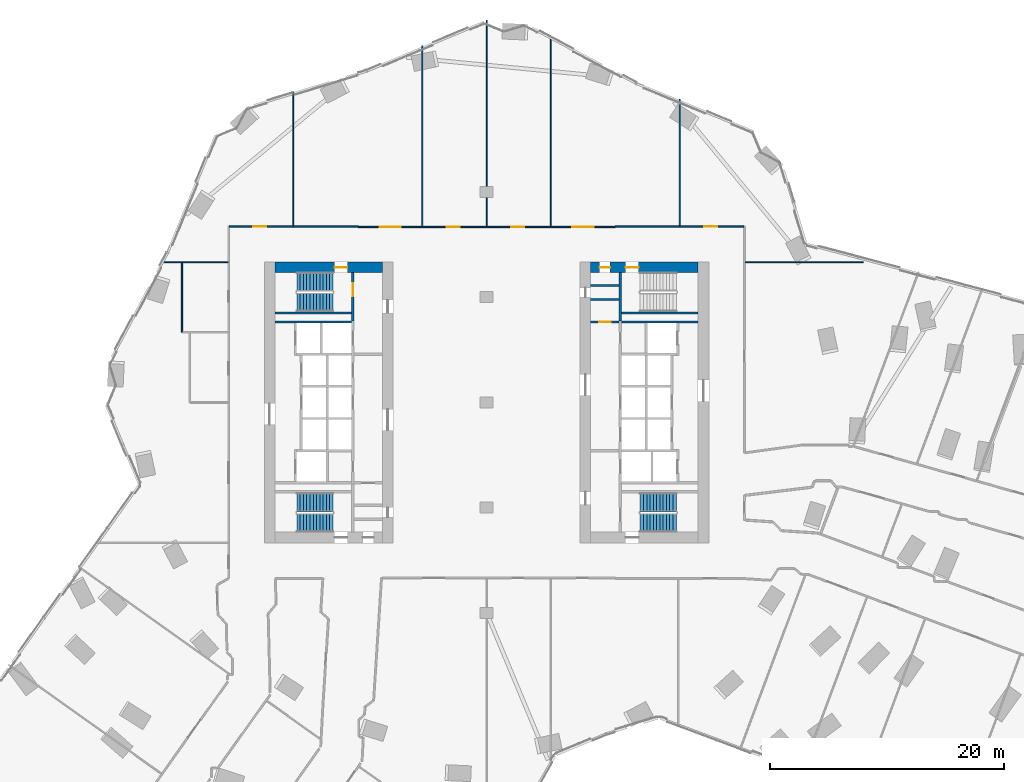
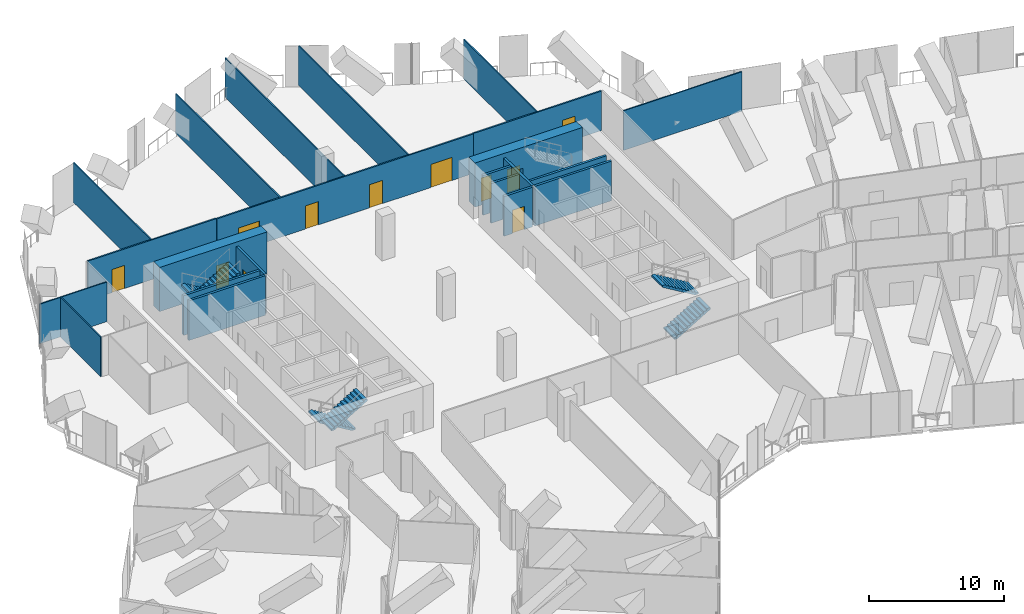
# One storey, part 30 of 34: 22 walls, 11 doors, 6 stair flights, 11 openings, 3 elements without a shape of their own.
"""IFC4 building model written with IfcOpenShell, lengths in metres."""

from ifc_helpers import new_model, si_unit, direction, frame, frame_2d, origin, place, context, subcontext, project, spatial, polyline, rectangle, outline, extrude, material, layer, layer_set, type_object, element, fill, aggregate, save


model = new_model("IFC4")

# Units and contexts
model_context = context("Model", 3, precision=1e-05, world=origin(), true_north=direction((0.0, 1.0)))
body_context = subcontext(model_context, "Body", "Model", "MODEL_VIEW")
ifc_project = project(units=[si_unit("LENGTHUNIT", "METRE"), si_unit("AREAUNIT", "SQUARE_METRE"), si_unit("VOLUMEUNIT", "CUBIC_METRE"), si_unit("PLANEANGLEUNIT", "RADIAN"), si_unit("MASSUNIT", "GRAM", prefix="KILO")], contexts=[model_context])

# Site, building, storey
site_placement = place(None, origin())
site = spatial("IfcSite", under=ifc_project, at=site_placement, CompositionType="ELEMENT")
building_placement = place(site_placement, origin())
building = spatial("IfcBuilding", under=site, at=building_placement, Name="Orlundy Tower", CompositionType="ELEMENT")
storey_placement = place(building_placement, frame((0.0, 0.0, 98.199951171875)))
storey = spatial("IfcBuildingStorey", under=building, at=storey_placement, Name="L24", CompositionType="ELEMENT", Elevation=98.199951171875)

# Wall, opening, door
ifc_material_1 = material(Name="Concrete C80/95", Category="concrete")
ifc_layer_1 = layer(ifc_material_1, 0.89990234375)
ifc_layer_set_1 = layer_set([ifc_layer_1], Name="CORE WALL 900 C80/95")
wall_type_1 = type_object("IfcWallType", Name="CORE WALL 900 C80/95", PredefinedType="SHEAR", material=ifc_layer_set_1)
wall_1_placement = place(storey_placement, frame((-18.10009765625, 11.550048828125, 0.0), z_axis=(0.0, 0.0, 1.0), x_axis=(1.0, 0.0, 0.0)))
wall_1 = element("IfcWall", 1, at=wall_1_placement, inside=storey, type_object=wall_type_1, Name="Core wall W-N L24", PredefinedType="SHEAR", context=body_context, shape_type="SweptSolid", body=[
    extrude(rectangle(XDim=9.2001953125, YDim=0.89990234375, at=frame_2d((4.60009765625, 0.0))), origin(), (0.0, 0.0, 1.0), 4.0),
])
opening_1_placement = place(wall_1_placement, frame((5.10009765625, 0.0, 0.0)))
opening_1 = element("IfcOpeningElement", 2, at=opening_1_placement, cuts=wall_1, Name="Opening 19012", PredefinedType="OPENING", context=body_context, shape_type="SweptSolid", body=[
    extrude(rectangle(XDim=1.10009765625, YDim=2.10009765625, at=frame_2d((0.550048828125, 1.050048828125))), frame((0.0, 0.4599609375, 0.0), z_axis=(0.0, -1.0, 0.0), x_axis=(1.0, 0.0, 0.0)), (0.0, 0.0, 1.0), 0.919921875),
])
ifc_material_2 = material(Name="Steel door set", Category="steel")
door_type_1 = type_object("IfcDoorType", Name="Stair Door 1100x2100", OperationType="SINGLE_SWING_LEFT", PredefinedType="DOOR", material=ifc_material_2)
door_1_placement = place(opening_1_placement, origin())
door_1 = element("IfcDoor", 3, at=door_1_placement, inside=storey, type_object=door_type_1, Name="Stair door 19012", OperationType="SINGLE_SWING_RIGHT", OverallHeight=2.10009765625, OverallWidth=1.10009765625, PredefinedType="DOOR", context=body_context, shape_type="SweptSolid", body=[
    extrude(rectangle(XDim=1.10009765625, YDim=2.10009765625, at=frame_2d((0.550048828125, 1.050048828125))), frame((0.0, 0.02490234375, 0.0), z_axis=(0.0, -1.0, 0.0), x_axis=(1.0, 0.0, 0.0)), (0.0, 0.0, 1.0), 0.050048828125),
])
fill(opening_1, door_1)

# Wall, openings, doors
wall_2_placement = place(storey_placement, frame((8.89990234375, 11.550048828125, 0.0), z_axis=(0.0, 0.0, 1.0), x_axis=(1.0, 0.0, 0.0)))
wall_2 = element("IfcWall", 4, at=wall_2_placement, inside=storey, type_object=wall_type_1, Name="Core wall E-N L24", PredefinedType="SHEAR", context=body_context, shape_type="SweptSolid", body=[
    extrude(rectangle(XDim=9.2001953125, YDim=0.89990234375, at=frame_2d((4.60009765625, 0.0))), origin(), (0.0, 0.0, 1.0), 4.0),
])
opening_2_placement = place(wall_2_placement, frame((3.0, 0.0, 0.0)))
opening_2 = element("IfcOpeningElement", 5, at=opening_2_placement, cuts=wall_2, Name="Opening 19062", PredefinedType="OPENING", context=body_context, shape_type="SweptSolid", body=[
    extrude(rectangle(XDim=1.10009765625, YDim=2.10009765625, at=frame_2d((0.550048828125, 1.050048828125))), frame((0.0, 0.4599609375, 0.0), z_axis=(0.0, -1.0, 0.0), x_axis=(1.0, 0.0, 0.0)), (0.0, 0.0, 1.0), 0.919921875),
])
opening_3_placement = place(wall_2_placement, frame((0.77001953125, 0.0, 0.0)))
opening_3 = element("IfcOpeningElement", 6, at=opening_3_placement, cuts=wall_2, Name="Opening 19064", PredefinedType="OPENING", context=body_context, shape_type="SweptSolid", body=[
    extrude(rectangle(XDim=0.89990234375, YDim=2.10009765625, at=frame_2d((0.449951171875, 1.050048828125))), frame((0.0, 0.4599609375, 0.0), z_axis=(0.0, -1.0, 0.0), x_axis=(1.0, 0.0, 0.0)), (0.0, 0.0, 1.0), 0.919921875),
])
ifc_material_3 = material(Name="Timber door set", Category="wood")
door_type_2 = type_object("IfcDoorType", Name="Room Door 900x2100", OperationType="SINGLE_SWING_LEFT", PredefinedType="DOOR", material=ifc_material_3)
door_2_placement = place(opening_3_placement, origin())
door_2 = element("IfcDoor", 7, at=door_2_placement, inside=storey, type_object=door_type_2, Name="Store door 19064", OperationType="SINGLE_SWING_LEFT", OverallHeight=2.10009765625, OverallWidth=0.89990234375, PredefinedType="DOOR", context=body_context, shape_type="SweptSolid", body=[
    extrude(rectangle(XDim=0.89990234375, YDim=2.10009765625, at=frame_2d((0.449951171875, 1.050048828125))), frame((0.0, 0.02490234375, 0.0), z_axis=(0.0, -1.0, 0.0), x_axis=(1.0, 0.0, 0.0)), (0.0, 0.0, 1.0), 0.050048828125),
])
fill(opening_3, door_2)
door_3_placement = place(opening_2_placement, origin())
door_3 = element("IfcDoor", 8, at=door_3_placement, inside=storey, type_object=door_type_1, Name="Stair door 19062", OperationType="SINGLE_SWING_LEFT", OverallHeight=2.10009765625, OverallWidth=1.10009765625, PredefinedType="DOOR", context=body_context, shape_type="SweptSolid", body=[
    extrude(rectangle(XDim=1.10009765625, YDim=2.10009765625, at=frame_2d((0.550048828125, 1.050048828125))), frame((0.0, 0.02490234375, 0.0), z_axis=(0.0, -1.0, 0.0), x_axis=(1.0, 0.0, 0.0)), (0.0, 0.0, 1.0), 0.050048828125),
])
fill(opening_2, door_3)

# Walls
ifc_material_4 = material(Name="Gypsum board partition")
ifc_layer_2 = layer(ifc_material_4, 0.10009765625)
ifc_layer_set_2 = layer_set([ifc_layer_2], Name="Floor partition 100")
wall_type_2 = type_object("IfcWallType", Name="Floor partition 100", PredefinedType="PARTITIONING", material=ifc_layer_set_2)
wall_3_placement = place(storey_placement, frame((-27.8798828125, 12.0, 0.0), z_axis=(0.0, 0.0, 1.0), x_axis=(1.0, 0.0, 0.0)))
element("IfcWall", 9, at=wall_3_placement, inside=storey, type_object=wall_type_2, Name="wall-int-L24-076", PredefinedType="PARTITIONING", context=body_context, shape_type="SweptSolid", body=[
    extrude(rectangle(XDim=5.766845703125, YDim=0.10009765625, at=frame_2d((2.88330078125, 0.0))), origin(), (0.0, 0.0, 1.0), 3.580078125),
])
wall_4_placement = place(storey_placement, frame((22.113037109375, 12.0, 0.0), z_axis=(0.0, 0.0, 1.0), x_axis=(1.0, 0.0, 0.0)))
element("IfcWall", 10, at=wall_4_placement, inside=storey, type_object=wall_type_2, Name="wall-int-L24-077", PredefinedType="PARTITIONING", context=body_context, shape_type="SweptSolid", body=[
    extrude(rectangle(XDim=10.113037109375, YDim=0.10009765625, at=frame_2d((5.056640625, 0.0))), origin(), (0.0, 0.0, 1.0), 3.580078125),
])
wall_5_placement = place(storey_placement, frame((16.52099609375, 15.114013671875, 0.0), z_axis=(0.0, 0.0, 1.0), x_axis=(0.0, 1.0, 0.0)))
element("IfcWall", 11, at=wall_5_placement, inside=storey, type_object=wall_type_2, Name="wall-int-L24-135", PredefinedType="PARTITIONING", context=body_context, shape_type="SweptSolid", body=[
    extrude(rectangle(XDim=10.802978515625, YDim=0.10009765625, at=frame_2d((5.4013671875, 0.0))), origin(), (0.0, 0.0, 1.0), 3.580078125),
])
wall_6_placement = place(storey_placement, frame((5.4951171875, 15.06298828125, 0.0), z_axis=(0.0, 0.0, 1.0), x_axis=(0.0, 1.0, 0.0)))
element("IfcWall", 12, at=wall_6_placement, inside=storey, type_object=wall_type_2, Name="wall-int-L24-138", PredefinedType="PARTITIONING", context=body_context, shape_type="SweptSolid", body=[
    extrude(rectangle(XDim=16.27490234375, YDim=0.10009765625, at=frame_2d((8.137451171875, 0.0))), origin(), (0.0, 0.0, 1.0), 3.580078125),
])
wall_7_placement = place(storey_placement, frame((0.0, 15.06298828125, 0.0), z_axis=(0.0, 0.0, 1.0), x_axis=(0.0, 1.0, 0.0)))
element("IfcWall", 13, at=wall_7_placement, inside=storey, type_object=wall_type_2, Name="wall-int-L24-140", PredefinedType="PARTITIONING", context=body_context, shape_type="SweptSolid", body=[
    extrude(rectangle(XDim=17.64111328125, YDim=0.10009765625, at=frame_2d((8.820556640625, 0.0))), origin(), (0.0, 0.0, 1.0), 3.580078125),
])
wall_8_placement = place(storey_placement, frame((-5.4951171875, 15.06298828125, 0.0), z_axis=(0.0, 0.0, 1.0), x_axis=(0.0, 1.0, 0.0)))
element("IfcWall", 14, at=wall_8_placement, inside=storey, type_object=wall_type_2, Name="wall-int-L24-141", PredefinedType="PARTITIONING", context=body_context, shape_type="SweptSolid", body=[
    extrude(rectangle(XDim=15.424072265625, YDim=0.10009765625, at=frame_2d((7.7119140625, 0.0))), origin(), (0.0, 0.0, 1.0), 3.580078125),
])
wall_9_placement = place(storey_placement, frame((-16.52001953125, 15.114013671875, 0.0), z_axis=(0.0, 0.0, 1.0), x_axis=(0.0, 1.0, 0.0)))
element("IfcWall", 15, at=wall_9_placement, inside=storey, type_object=wall_type_2, Name="wall-int-L24-145", PredefinedType="PARTITIONING", context=body_context, shape_type="SweptSolid", body=[
    extrude(rectangle(XDim=11.468017578125, YDim=0.10009765625, at=frame_2d((5.73388671875, 0.0))), origin(), (0.0, 0.0, 1.0), 3.580078125),
])
wall_10_placement = place(storey_placement, frame((-26.048095703125, 6.0009765625, 0.0), z_axis=(0.0, 0.0, 1.0), x_axis=(0.0, 1.0, 0.0)))
element("IfcWall", 16, at=wall_10_placement, inside=storey, type_object=wall_type_2, Name="wall-int-L24-154", PredefinedType="PARTITIONING", context=body_context, shape_type="SweptSolid", body=[
    extrude(rectangle(XDim=5.948974609375, YDim=0.10009765625, at=frame_2d((2.974609375, 0.0))), origin(), (0.0, 0.0, 1.0), 3.580078125),
])

# Wall, openings, doors
ifc_material_5 = material(Name="Gypsum board partition, double layer")
ifc_layer_3 = layer(ifc_material_5, 0.125)
ifc_layer_set_3 = layer_set([ifc_layer_3], Name="Floor partition 125")
wall_type_3 = type_object("IfcWallType", Name="Floor partition 125", PredefinedType="PARTITIONING", material=ifc_layer_set_3)
wall_11_placement = place(storey_placement, frame((-10.989990234375, 15.0009765625, 0.0), z_axis=(0.0, 0.0, 1.0), x_axis=(1.0, 0.0, 0.0)))
wall_11 = element("IfcWall", 17, at=wall_11_placement, inside=storey, type_object=wall_type_3, Name="wall-int-L24-078", PredefinedType="PARTITIONING", context=body_context, shape_type="SweptSolid", body=[
    extrude(rectangle(XDim=21.97998046875, YDim=0.125, at=frame_2d((10.989990234375, 0.0))), origin(), (0.0, 0.0, 1.0), 3.580078125),
])
opening_4_placement = place(wall_11_placement, frame((18.3349609375, 0.0, 0.0)))
opening_4 = element("IfcOpeningElement", 18, at=opening_4_placement, cuts=wall_11, Name="Opening 19132", PredefinedType="OPENING", context=body_context, shape_type="SweptSolid", body=[
    extrude(rectangle(XDim=1.800048828125, YDim=2.10009765625, at=frame_2d((0.89990234375, 1.050048828125))), frame((0.0, 0.072509765625, 0.0), z_axis=(0.0, -1.0, 0.0), x_axis=(1.0, 0.0, 0.0)), (0.0, 0.0, 1.0), 0.14501953125),
])
opening_5_placement = place(wall_11_placement, frame((13.090087890625, 0.0, 0.0)))
opening_5 = element("IfcOpeningElement", 19, at=opening_5_placement, cuts=wall_11, Name="Opening 19133", PredefinedType="OPENING", context=body_context, shape_type="SweptSolid", body=[
    extrude(rectangle(XDim=1.10009765625, YDim=2.10009765625, at=frame_2d((0.550048828125, 1.050048828125))), frame((0.0, 0.072509765625, 0.0), z_axis=(0.0, -1.0, 0.0), x_axis=(1.0, 0.0, 0.0)), (0.0, 0.0, 1.0), 0.14501953125),
])
opening_6_placement = place(wall_11_placement, frame((7.594970703125, 0.0, 0.0)))
opening_6 = element("IfcOpeningElement", 20, at=opening_6_placement, cuts=wall_11, Name="Opening 19134", PredefinedType="OPENING", context=body_context, shape_type="SweptSolid", body=[
    extrude(rectangle(XDim=1.10009765625, YDim=2.10009765625, at=frame_2d((0.550048828125, 1.050048828125))), frame((0.0, 0.072509765625, 0.0), z_axis=(0.0, -1.0, 0.0), x_axis=(1.0, 0.0, 0.0)), (0.0, 0.0, 1.0), 0.14501953125),
])
opening_7_placement = place(wall_11_placement, frame((1.85009765625, 0.0, 0.0)))
opening_7 = element("IfcOpeningElement", 21, at=opening_7_placement, cuts=wall_11, Name="Opening 19135", PredefinedType="OPENING", context=body_context, shape_type="SweptSolid", body=[
    extrude(rectangle(XDim=1.800048828125, YDim=2.10009765625, at=frame_2d((0.89990234375, 1.050048828125))), frame((0.0, 0.072509765625, 0.0), z_axis=(0.0, -1.0, 0.0), x_axis=(1.0, 0.0, 0.0)), (0.0, 0.0, 1.0), 0.14501953125),
])
ifc_material_6 = material(Name="Timber door leaf", Category="wood")
door_type_3 = type_object("IfcDoorType", Name="Floor door double 1800 FD30S", OperationType="NOTDEFINED", PredefinedType="DOOR", material=ifc_material_6)
door_4_placement = place(opening_4_placement, origin())
door_4 = element("IfcDoor", 22, at=door_4_placement, inside=storey, type_object=door_type_3, Name="Door 19132", OperationType="DOUBLE_DOOR_SINGLE_SWING", OverallHeight=2.10009765625, OverallWidth=1.800048828125, PredefinedType="DOOR", context=body_context, shape_type="SweptSolid", body=[
    extrude(rectangle(XDim=1.800048828125, YDim=2.10009765625, at=frame_2d((0.89990234375, 1.050048828125))), frame((0.0, 0.02490234375, 0.0), z_axis=(0.0, -1.0, 0.0), x_axis=(1.0, 0.0, 0.0)), (0.0, 0.0, 1.0), 0.050048828125),
])
fill(opening_4, door_4)
door_5_placement = place(opening_7_placement, origin())
door_5 = element("IfcDoor", 23, at=door_5_placement, inside=storey, type_object=door_type_3, Name="Door 19135", OperationType="DOUBLE_DOOR_SINGLE_SWING", OverallHeight=2.10009765625, OverallWidth=1.800048828125, PredefinedType="DOOR", context=body_context, shape_type="SweptSolid", body=[
    extrude(rectangle(XDim=1.800048828125, YDim=2.10009765625, at=frame_2d((0.89990234375, 1.050048828125))), frame((0.0, 0.02490234375, 0.0), z_axis=(0.0, -1.0, 0.0), x_axis=(1.0, 0.0, 0.0)), (0.0, 0.0, 1.0), 0.050048828125),
])
fill(opening_7, door_5)
ifc_material_7 = material(Name="Timber door leaf", Category="wood")
door_type_4 = type_object("IfcDoorType", Name="Floor door xwide 1100 FD30S", OperationType="NOTDEFINED", PredefinedType="DOOR", material=ifc_material_7)
door_6_placement = place(opening_5_placement, origin())
door_6 = element("IfcDoor", 24, at=door_6_placement, inside=storey, type_object=door_type_4, Name="Door 19133", OperationType="SINGLE_SWING_RIGHT", OverallHeight=2.10009765625, OverallWidth=1.10009765625, PredefinedType="DOOR", context=body_context, shape_type="SweptSolid", body=[
    extrude(rectangle(XDim=1.10009765625, YDim=2.10009765625, at=frame_2d((0.550048828125, 1.050048828125))), frame((0.0, 0.02490234375, 0.0), z_axis=(0.0, -1.0, 0.0), x_axis=(1.0, 0.0, 0.0)), (0.0, 0.0, 1.0), 0.050048828125),
])
fill(opening_5, door_6)
door_7_placement = place(opening_6_placement, origin())
door_7 = element("IfcDoor", 25, at=door_7_placement, inside=storey, type_object=door_type_4, Name="Door 19134", OperationType="SINGLE_SWING_LEFT", OverallHeight=2.10009765625, OverallWidth=1.10009765625, PredefinedType="DOOR", context=body_context, shape_type="SweptSolid", body=[
    extrude(rectangle(XDim=1.10009765625, YDim=2.10009765625, at=frame_2d((0.550048828125, 1.050048828125))), frame((0.0, 0.02490234375, 0.0), z_axis=(0.0, -1.0, 0.0), x_axis=(1.0, 0.0, 0.0)), (0.0, 0.0, 1.0), 0.050048828125),
])
fill(opening_6, door_7)

# Wall, opening, door
wall_12_placement = place(storey_placement, frame((-21.988037109375, 15.051025390625, 0.0), z_axis=(0.0, 0.0, 1.0), x_axis=(1.0, 0.0, 0.0)))
wall_12 = element("IfcWall", 26, at=wall_12_placement, inside=storey, type_object=wall_type_3, Name="wall-int-L24-079", PredefinedType="PARTITIONING", context=body_context, shape_type="SweptSolid", body=[
    extrude(rectangle(XDim=10.9970703125, YDim=0.125, at=frame_2d((5.49853515625, 0.0))), origin(), (0.0, 0.0, 1.0), 3.580078125),
])
opening_8_placement = place(wall_12_placement, frame((2.03759765625, 0.0, 0.0)))
opening_8 = element("IfcOpeningElement", 27, at=opening_8_placement, cuts=wall_12, Name="Opening 19136", PredefinedType="OPENING", context=body_context, shape_type="SweptSolid", body=[
    extrude(rectangle(XDim=1.10009765625, YDim=2.10009765625, at=frame_2d((0.550048828125, 1.050048828125))), frame((0.0, 0.072509765625, 0.0), z_axis=(0.0, -1.0, 0.0), x_axis=(1.0, 0.0, 0.0)), (0.0, 0.0, 1.0), 0.14501953125),
])
door_8_placement = place(opening_8_placement, origin())
door_8 = element("IfcDoor", 28, at=door_8_placement, inside=storey, type_object=door_type_4, Name="Door 19136", OperationType="SINGLE_SWING_LEFT", OverallHeight=2.10009765625, OverallWidth=1.10009765625, PredefinedType="DOOR", context=body_context, shape_type="SweptSolid", body=[
    extrude(rectangle(XDim=1.10009765625, YDim=2.10009765625, at=frame_2d((0.550048828125, 1.050048828125))), frame((0.0, 0.02490234375, 0.0), z_axis=(0.0, -1.0, 0.0), x_axis=(1.0, 0.0, 0.0)), (0.0, 0.0, 1.0), 0.050048828125),
])
fill(opening_8, door_8)

wall_13_placement = place(storey_placement, frame((10.990966796875, 15.051025390625, 0.0), z_axis=(0.0, 0.0, 1.0), x_axis=(1.0, 0.0, 0.0)))
wall_13 = element("IfcWall", 29, at=wall_13_placement, inside=storey, type_object=wall_type_3, Name="wall-int-L24-080", PredefinedType="PARTITIONING", context=body_context, shape_type="SweptSolid", body=[
    extrude(rectangle(XDim=10.9970703125, YDim=0.125, at=frame_2d((5.49853515625, 0.0))), origin(), (0.0, 0.0, 1.0), 3.580078125),
])
opening_9_placement = place(wall_13_placement, frame((7.6298828125, 0.0, 0.0)))
opening_9 = element("IfcOpeningElement", 30, at=opening_9_placement, cuts=wall_13, Name="Opening 19131", PredefinedType="OPENING", context=body_context, shape_type="SweptSolid", body=[
    extrude(rectangle(XDim=1.10009765625, YDim=2.10009765625, at=frame_2d((0.550048828125, 1.050048828125))), frame((0.0, 0.072509765625, 0.0), z_axis=(0.0, -1.0, 0.0), x_axis=(1.0, 0.0, 0.0)), (0.0, 0.0, 1.0), 0.14501953125),
])
door_9_placement = place(opening_9_placement, origin())
door_9 = element("IfcDoor", 31, at=door_9_placement, inside=storey, type_object=door_type_4, Name="Door 19131", OperationType="SINGLE_SWING_RIGHT", OverallHeight=2.10009765625, OverallWidth=1.10009765625, PredefinedType="DOOR", context=body_context, shape_type="SweptSolid", body=[
    extrude(rectangle(XDim=1.10009765625, YDim=2.10009765625, at=frame_2d((0.550048828125, 1.050048828125))), frame((0.0, 0.02490234375, 0.0), z_axis=(0.0, -1.0, 0.0), x_axis=(1.0, 0.0, 0.0)), (0.0, 0.0, 1.0), 0.050048828125),
])
fill(opening_9, door_9)

ifc_material_8 = material(Name="Concrete C40/50", Category="concrete")
ifc_layer_4 = layer(ifc_material_8, 0.199951171875)
ifc_layer_set_4 = layer_set([ifc_layer_4], Name="Load-bearing Shaft Wall 200")
wall_type_4 = type_object("IfcWallType", Name="Load-bearing Shaft Wall 200", PredefinedType="SOLIDWALL", material=ifc_layer_set_4)
wall_14_placement = place(storey_placement, frame((-11.43994140625, 6.97509765625, 0.0), z_axis=(0.0, 0.0, 1.0), x_axis=(0.0, 1.0, 0.0)))
wall_14 = element("IfcWall", 32, at=wall_14_placement, inside=storey, type_object=wall_type_4, Name="Shaft wall W19-stair-end-n", PredefinedType="SOLIDWALL", context=body_context, shape_type="SweptSolid", body=[
    extrude(rectangle(XDim=4.125, YDim=0.199951171875, at=frame_2d((2.0625, 0.0))), origin(), (0.0, 0.0, 1.0), 3.590087890625),
])
opening_10_placement = place(wall_14_placement, frame((2.10009765625, 0.0, 0.0)))
opening_10 = element("IfcOpeningElement", 33, at=opening_10_placement, cuts=wall_14, Name="Opening 19014", PredefinedType="OPENING", context=body_context, shape_type="SweptSolid", body=[
    extrude(rectangle(XDim=1.10009765625, YDim=2.10009765625, at=frame_2d((0.550048828125, 1.050048828125))), frame((0.0, 0.110107421875, 0.0), z_axis=(0.0, -1.0, 0.0), x_axis=(1.0, 0.0, 0.0)), (0.0, 0.0, 1.0), 0.22021484375),
])
ifc_material_9 = material(Name="Steel door set", Category="steel")
door_type_5 = type_object("IfcDoorType", Name="Fire-fighting Lobby Door 1100x2100", OperationType="SINGLE_SWING_LEFT", PredefinedType="DOOR", material=ifc_material_9)
door_10_placement = place(opening_10_placement, origin())
door_10 = element("IfcDoor", 34, at=door_10_placement, inside=storey, type_object=door_type_5, Name="Fire-fighting lobby to stair door 19014", OperationType="SINGLE_SWING_RIGHT", OverallHeight=2.10009765625, OverallWidth=1.10009765625, PredefinedType="DOOR", context=body_context, shape_type="SweptSolid", body=[
    extrude(rectangle(XDim=1.10009765625, YDim=2.10009765625, at=frame_2d((0.550048828125, 1.050048828125))), frame((0.0, 0.02490234375, 0.0), z_axis=(0.0, -1.0, 0.0), x_axis=(1.0, 0.0, 0.0)), (0.0, 0.0, 1.0), 0.050048828125),
])
fill(opening_10, door_10)

# Walls
wall_15_placement = place(storey_placement, frame((-11.5400390625, 7.64990234375, 0.0), z_axis=(0.0, 0.0, 1.0), x_axis=(-1.0, 0.0, 0.0)))
element("IfcWall", 35, at=wall_15_placement, inside=storey, type_object=wall_type_4, Name="Shaft wall W19-stair-side-n", PredefinedType="SOLIDWALL", context=body_context, shape_type="SweptSolid", body=[
    extrude(rectangle(XDim=6.56005859375, YDim=0.199951171875, at=frame_2d((3.280029296875, 0.0))), origin(), (0.0, 0.0, 1.0), 3.590087890625),
])
wall_16_placement = place(storey_placement, frame((11.43994140625, 11.10009765625, 0.0), z_axis=(0.0, 0.0, 1.0), x_axis=(0.0, -1.0, 0.0)))
element("IfcWall", 36, at=wall_16_placement, inside=storey, type_object=wall_type_4, Name="Shaft wall E19-stair-end-s", PredefinedType="SOLIDWALL", context=body_context, shape_type="SweptSolid", body=[
    extrude(rectangle(XDim=4.125, YDim=0.199951171875, at=frame_2d((2.0625, 0.0))), origin(), (0.0, 0.0, 1.0), 3.590087890625),
])
wall_17_placement = place(storey_placement, frame((11.5400390625, 7.64990234375, 0.0), z_axis=(0.0, 0.0, 1.0), x_axis=(1.0, 0.0, 0.0)))
element("IfcWall", 37, at=wall_17_placement, inside=storey, type_object=wall_type_4, Name="Shaft wall E19-stair-side-s", PredefinedType="SOLIDWALL", context=body_context, shape_type="SweptSolid", body=[
    extrude(rectangle(XDim=6.56005859375, YDim=0.199951171875, at=frame_2d((3.280029296875, 0.0))), origin(), (0.0, 0.0, 1.0), 3.590087890625),
])

# Wall, opening, door
ifc_material_10 = material(Name="Gypsum board partition on steel studs", Category="steel")
ifc_layer_5 = layer(ifc_material_10, 0.199951171875)
ifc_layer_set_5 = layer_set([ifc_layer_5], Name="Partition 200")
wall_type_5 = type_object("IfcWallType", Name="Partition 200", PredefinedType="PARTITIONING", material=ifc_layer_set_5)
wall_18_placement = place(storey_placement, frame((8.89990234375, 6.875, 0.0), z_axis=(0.0, 0.0, 1.0), x_axis=(1.0, 0.0, 0.0)))
wall_18 = element("IfcWall", 38, at=wall_18_placement, inside=storey, type_object=wall_type_5, Name="Partition wall E19-end-s", PredefinedType="PARTITIONING", context=body_context, shape_type="SweptSolid", body=[
    extrude(rectangle(XDim=2.440185546875, YDim=0.199951171875, at=frame_2d((1.22021484375, 0.0))), origin(), (0.0, 0.0, 1.0), 3.590087890625),
])
opening_11_placement = place(wall_18_placement, frame((0.719970703125, 0.0, 0.0)))
opening_11 = element("IfcOpeningElement", 39, at=opening_11_placement, cuts=wall_18, Name="Opening 19066", PredefinedType="OPENING", context=body_context, shape_type="SweptSolid", body=[
    extrude(rectangle(XDim=1.0, YDim=2.10009765625, at=frame_2d((0.5, 1.050048828125))), frame((0.0, 0.110107421875, 0.0), z_axis=(0.0, -1.0, 0.0), x_axis=(1.0, 0.0, 0.0)), (0.0, 0.0, 1.0), 0.22021484375),
])
ifc_material_11 = material(Name="Timber door set", Category="wood")
door_type_6 = type_object("IfcDoorType", Name="Accessible Door 1000x2100", OperationType="SINGLE_SWING_LEFT", PredefinedType="DOOR", material=ifc_material_11)
door_11_placement = place(opening_11_placement, origin())
door_11 = element("IfcDoor", 40, at=door_11_placement, inside=storey, type_object=door_type_6, Name="Accessible WC door 19066", OperationType="SINGLE_SWING_RIGHT", OverallHeight=2.10009765625, OverallWidth=1.0, PredefinedType="DOOR", context=body_context, shape_type="SweptSolid", body=[
    extrude(rectangle(XDim=1.0, YDim=2.10009765625, at=frame_2d((0.5, 1.050048828125))), frame((0.0, 0.02490234375, 0.0), z_axis=(0.0, -1.0, 0.0), x_axis=(1.0, 0.0, 0.0)), (0.0, 0.0, 1.0), 0.050048828125),
])
fill(opening_11, door_11)

# Walls
for number, where, z_axis, x_axis, name in (
    (41, (8.89990234375, 10.0, 0.0), (0.0, 0.0, 1.0), (1.0, 0.0, 0.0), "Partition wall E19-room-s0"),
    (42, (8.89990234375, 8.800048828125, 0.0), (0.0, 0.0, 1.0), (1.0, 0.0, 0.0), "Partition wall E19-room-s1"),
):
    element("IfcWall", number, at=place(storey_placement, frame(where, z_axis=z_axis, x_axis=x_axis)), inside=storey, type_object=wall_type_5, Name=name, PredefinedType="PARTITIONING", context=body_context, shape_type="SweptSolid", body=[
        extrude(rectangle(XDim=2.440185546875, YDim=0.199951171875, at=frame_2d((1.22021484375, 0.0))), origin(), (0.0, 0.0, 1.0), 3.590087890625),
    ])
ifc_material_12 = material(Name="Fire-rated blockwork shaft wall", Category="masonry")
ifc_layer_6 = layer(ifc_material_12, 0.199951171875)
ifc_layer_set_6 = layer_set([ifc_layer_6], Name="Shaft Wall 200")
wall_type_6 = type_object("IfcWallType", Name="Shaft Wall 200", PredefinedType="SOLIDWALL", material=ifc_layer_set_6)
for number, where, z_axis, x_axis, name in (
    (43, (-11.5400390625, 6.875, 0.0), (0.0, 0.0, 1.0), (-1.0, 0.0, 0.0), "Shaft wall W19-zone-n"),
    (44, (11.5400390625, 6.875, 0.0), (0.0, 0.0, 1.0), (1.0, 0.0, 0.0), "Shaft wall E19-zone-s"),
):
    element("IfcWall", number, at=place(storey_placement, frame(where, z_axis=z_axis, x_axis=x_axis)), inside=storey, type_object=wall_type_6, Name=name, PredefinedType="SOLIDWALL", context=body_context, shape_type="SweptSolid", body=[
        extrude(rectangle(XDim=6.56005859375, YDim=0.199951171875, at=frame_2d((3.280029296875, 0.0))), origin(), (0.0, 0.0, 1.0), 3.590087890625),
    ])

# Stair, stair flights
ifc_material_13 = material(Name="Concrete C50/60", Category="concrete")
stair_type = type_object("IfcStairType", Name="Exit Stair 24 risers", PredefinedType="HALF_TURN_STAIR", material=ifc_material_13)
stair_1_placement = place(storey_placement, origin())
stair_1 = element("IfcStair", 45, at=stair_1_placement, inside=storey, type_object=stair_type, Name="L24 Exit Stair ST-W1", PredefinedType="HALF_TURN_STAIR")
ifc_material_14 = material(Name="Concrete C50/60", Category="concrete")
stair_flight_type = type_object("IfcStairFlightType", Name="Stair Flight 12 risers", PredefinedType="STRAIGHT", material=ifc_material_14)
stair_flight_1_placement = place(storey_placement, frame((-13.139892578125, 10.300048828125, 0.0), z_axis=(0.0, 0.0, 1.0), x_axis=(-1.0, 0.0, 0.0)))
stair_flight_1 = element("IfcStairFlight", 46, at=stair_flight_1_placement, type_object=stair_flight_type, Name="ST-W1 flight 1", NumberOfRisers=12, NumberOfTreads=11, PredefinedType="STRAIGHT", RiserHeight=0.166666667, TreadLength=0.28, context=body_context, shape_type="SweptSolid", body=[
    extrude(outline(polyline([(0.0, 0.0), (0.0, 0.166748046875), (0.280029296875, 0.166748046875), (0.280029296875, 0.333251953125), (0.56005859375, 0.333251953125), (0.56005859375, 0.5), (0.840087890625, 0.5), (0.840087890625, 0.666748046875), (1.1201171875, 0.666748046875), (1.1201171875, 0.833251953125), (1.39990234375, 0.833251953125), (1.39990234375, 1.0), (1.679931640625, 1.0), (1.679931640625, 1.166748046875), (1.9599609375, 1.166748046875), (1.9599609375, 1.333251953125), (2.239990234375, 1.333251953125), (2.239990234375, 1.5), (2.52001953125, 1.5), (2.52001953125, 1.666748046875), (2.800048828125, 1.666748046875), (2.800048828125, 1.833251953125), (3.080078125, 1.833251953125), (3.080078125, 2.0), (3.080078125, 1.658935546875), (0.29296875, 0.0), (0.0, 0.0)])), frame((0.0, 0.800048828125, 0.0), z_axis=(0.0, -1.0, 0.0), x_axis=(1.0, 0.0, 0.0)), (0.0, 0.0, 1.0), 1.60009765625),
])
stair_flight_2_placement = place(storey_placement, frame((-16.219970703125, 8.550048828125, 2.0), z_axis=(0.0, 0.0, 1.0), x_axis=(1.0, 0.0, 0.0)))
stair_flight_2 = element("IfcStairFlight", 47, at=stair_flight_2_placement, type_object=stair_flight_type, Name="ST-W1 flight 2", NumberOfRisers=12, NumberOfTreads=11, PredefinedType="STRAIGHT", RiserHeight=0.166666667, TreadLength=0.28, context=body_context, shape_type="SweptSolid", body=[
    extrude(outline(polyline([(0.0, 0.0), (0.0, 0.166748046875), (0.280029296875, 0.166748046875), (0.280029296875, 0.333251953125), (0.56005859375, 0.333251953125), (0.56005859375, 0.5), (0.840087890625, 0.5), (0.840087890625, 0.666748046875), (1.1201171875, 0.666748046875), (1.1201171875, 0.833251953125), (1.39990234375, 0.833251953125), (1.39990234375, 1.0), (1.679931640625, 1.0), (1.679931640625, 1.166748046875), (1.9599609375, 1.166748046875), (1.9599609375, 1.333251953125), (2.239990234375, 1.333251953125), (2.239990234375, 1.5), (2.52001953125, 1.5), (2.52001953125, 1.666748046875), (2.800048828125, 1.666748046875), (2.800048828125, 1.833251953125), (3.080078125, 1.833251953125), (3.080078125, 2.0), (3.080078125, 1.658935546875), (0.29296875, 0.0), (0.0, 0.0)])), frame((0.0, 0.800048828125, 0.0), z_axis=(0.0, -1.0, 0.0), x_axis=(1.0, 0.0, 0.0)), (0.0, 0.0, 1.0), 1.60009765625),
])
aggregate(stair_1, [stair_flight_1, stair_flight_2])

stair_2_placement = place(storey_placement, origin())
stair_2 = element("IfcStair", 48, at=stair_2_placement, inside=storey, type_object=stair_type, Name="L24 Exit Stair ST-W2", PredefinedType="HALF_TURN_STAIR")
stair_flight_3_placement = place(storey_placement, frame((-13.139892578125, -8.550048828125, 0.0), z_axis=(0.0, 0.0, 1.0), x_axis=(-1.0, 0.0, 0.0)))
stair_flight_3 = element("IfcStairFlight", 49, at=stair_flight_3_placement, type_object=stair_flight_type, Name="ST-W2 flight 1", NumberOfRisers=12, NumberOfTreads=11, PredefinedType="STRAIGHT", RiserHeight=0.166666667, TreadLength=0.28, context=body_context, shape_type="SweptSolid", body=[
    extrude(outline(polyline([(0.0, 0.0), (0.0, 0.166748046875), (0.280029296875, 0.166748046875), (0.280029296875, 0.333251953125), (0.56005859375, 0.333251953125), (0.56005859375, 0.5), (0.840087890625, 0.5), (0.840087890625, 0.666748046875), (1.1201171875, 0.666748046875), (1.1201171875, 0.833251953125), (1.39990234375, 0.833251953125), (1.39990234375, 1.0), (1.679931640625, 1.0), (1.679931640625, 1.166748046875), (1.9599609375, 1.166748046875), (1.9599609375, 1.333251953125), (2.239990234375, 1.333251953125), (2.239990234375, 1.5), (2.52001953125, 1.5), (2.52001953125, 1.666748046875), (2.800048828125, 1.666748046875), (2.800048828125, 1.833251953125), (3.080078125, 1.833251953125), (3.080078125, 2.0), (3.080078125, 1.658935546875), (0.29296875, 0.0), (0.0, 0.0)])), frame((0.0, 0.800048828125, 0.0), z_axis=(0.0, -1.0, 0.0), x_axis=(1.0, 0.0, 0.0)), (0.0, 0.0, 1.0), 1.60009765625),
])
stair_flight_4_placement = place(storey_placement, frame((-16.219970703125, -10.300048828125, 2.0), z_axis=(0.0, 0.0, 1.0), x_axis=(1.0, 0.0, 0.0)))
stair_flight_4 = element("IfcStairFlight", 50, at=stair_flight_4_placement, type_object=stair_flight_type, Name="ST-W2 flight 2", NumberOfRisers=12, NumberOfTreads=11, PredefinedType="STRAIGHT", RiserHeight=0.166666667, TreadLength=0.28, context=body_context, shape_type="SweptSolid", body=[
    extrude(outline(polyline([(0.0, 0.0), (0.0, 0.166748046875), (0.280029296875, 0.166748046875), (0.280029296875, 0.333251953125), (0.56005859375, 0.333251953125), (0.56005859375, 0.5), (0.840087890625, 0.5), (0.840087890625, 0.666748046875), (1.1201171875, 0.666748046875), (1.1201171875, 0.833251953125), (1.39990234375, 0.833251953125), (1.39990234375, 1.0), (1.679931640625, 1.0), (1.679931640625, 1.166748046875), (1.9599609375, 1.166748046875), (1.9599609375, 1.333251953125), (2.239990234375, 1.333251953125), (2.239990234375, 1.5), (2.52001953125, 1.5), (2.52001953125, 1.666748046875), (2.800048828125, 1.666748046875), (2.800048828125, 1.833251953125), (3.080078125, 1.833251953125), (3.080078125, 2.0), (3.080078125, 1.658935546875), (0.29296875, 0.0), (0.0, 0.0)])), frame((0.0, 0.800048828125, 0.0), z_axis=(0.0, -1.0, 0.0), x_axis=(1.0, 0.0, 0.0)), (0.0, 0.0, 1.0), 1.60009765625),
])
aggregate(stair_2, [stair_flight_3, stair_flight_4])

stair_3_placement = place(storey_placement, origin())
stair_3 = element("IfcStair", 51, at=stair_3_placement, inside=storey, type_object=stair_type, Name="L24 Exit Stair ST-E1", PredefinedType="HALF_TURN_STAIR")
stair_flight_5_placement = place(storey_placement, frame((13.139892578125, -10.300048828125, 0.0), z_axis=(0.0, 0.0, 1.0), x_axis=(1.0, 0.0, 0.0)))
stair_flight_5 = element("IfcStairFlight", 52, at=stair_flight_5_placement, type_object=stair_flight_type, Name="ST-E1 flight 1", NumberOfRisers=12, NumberOfTreads=11, PredefinedType="STRAIGHT", RiserHeight=0.166666667, TreadLength=0.28, context=body_context, shape_type="SweptSolid", body=[
    extrude(outline(polyline([(0.0, 0.0), (0.0, 0.166748046875), (0.280029296875, 0.166748046875), (0.280029296875, 0.333251953125), (0.56005859375, 0.333251953125), (0.56005859375, 0.5), (0.840087890625, 0.5), (0.840087890625, 0.666748046875), (1.1201171875, 0.666748046875), (1.1201171875, 0.833251953125), (1.39990234375, 0.833251953125), (1.39990234375, 1.0), (1.679931640625, 1.0), (1.679931640625, 1.166748046875), (1.9599609375, 1.166748046875), (1.9599609375, 1.333251953125), (2.239990234375, 1.333251953125), (2.239990234375, 1.5), (2.52001953125, 1.5), (2.52001953125, 1.666748046875), (2.800048828125, 1.666748046875), (2.800048828125, 1.833251953125), (3.080078125, 1.833251953125), (3.080078125, 2.0), (3.080078125, 1.658935546875), (0.29296875, 0.0), (0.0, 0.0)])), frame((0.0, 0.800048828125, 0.0), z_axis=(0.0, -1.0, 0.0), x_axis=(1.0, 0.0, 0.0)), (0.0, 0.0, 1.0), 1.60009765625),
])
stair_flight_6_placement = place(storey_placement, frame((16.219970703125, -8.550048828125, 2.0), z_axis=(0.0, 0.0, 1.0), x_axis=(-1.0, 0.0, 0.0)))
stair_flight_6 = element("IfcStairFlight", 53, at=stair_flight_6_placement, type_object=stair_flight_type, Name="ST-E1 flight 2", NumberOfRisers=12, NumberOfTreads=11, PredefinedType="STRAIGHT", RiserHeight=0.166666667, TreadLength=0.28, context=body_context, shape_type="SweptSolid", body=[
    extrude(outline(polyline([(0.0, 0.0), (0.0, 0.166748046875), (0.280029296875, 0.166748046875), (0.280029296875, 0.333251953125), (0.56005859375, 0.333251953125), (0.56005859375, 0.5), (0.840087890625, 0.5), (0.840087890625, 0.666748046875), (1.1201171875, 0.666748046875), (1.1201171875, 0.833251953125), (1.39990234375, 0.833251953125), (1.39990234375, 1.0), (1.679931640625, 1.0), (1.679931640625, 1.166748046875), (1.9599609375, 1.166748046875), (1.9599609375, 1.333251953125), (2.239990234375, 1.333251953125), (2.239990234375, 1.5), (2.52001953125, 1.5), (2.52001953125, 1.666748046875), (2.800048828125, 1.666748046875), (2.800048828125, 1.833251953125), (3.080078125, 1.833251953125), (3.080078125, 2.0), (3.080078125, 1.658935546875), (0.29296875, 0.0), (0.0, 0.0)])), frame((0.0, 0.800048828125, 0.0), z_axis=(0.0, -1.0, 0.0), x_axis=(1.0, 0.0, 0.0)), (0.0, 0.0, 1.0), 1.60009765625),
])
aggregate(stair_3, [stair_flight_5, stair_flight_6])

save(model, "model.ifc")
